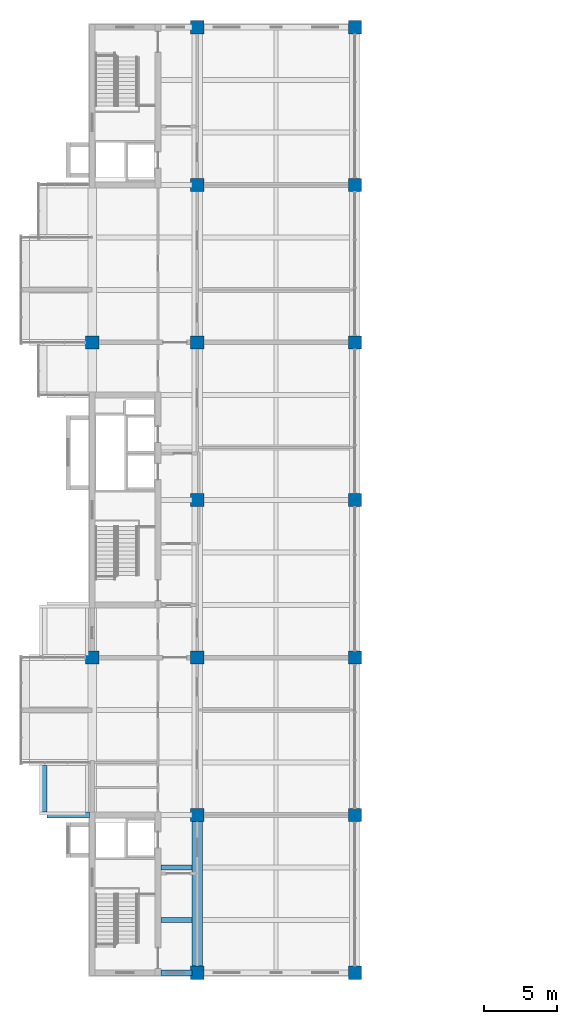
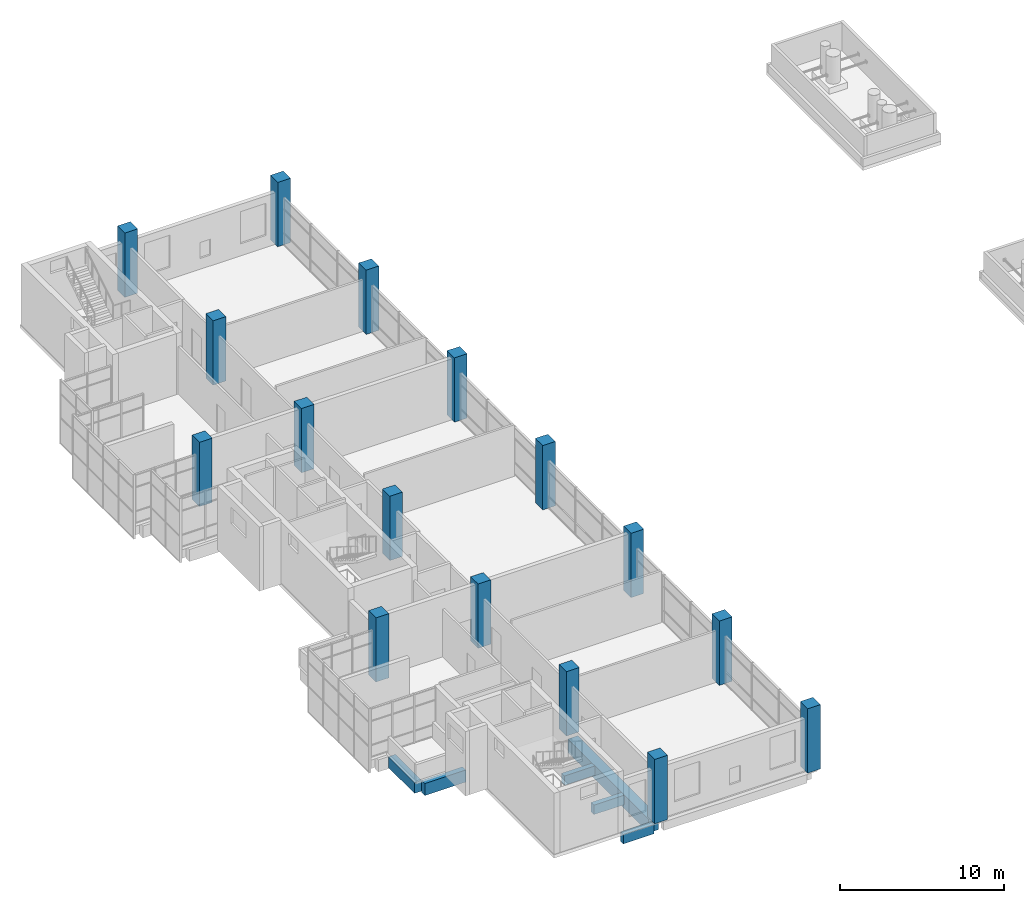
# One storey, part 1 of 22: 16 columns, 6 beams.
"""IFC4 building model written with IfcOpenShell, lengths in metres."""

import ifcopenshell
import ifcopenshell.guid

model = None  # the IFC model being written
_history = None  # IfcOwnerHistory: only IFC2X3 demands one
_inside = {}  # id of a spatial element -> (the spatial element, [elements in it])
_under = {}  # id of a project, library or spatial element -> (it, [spatial elements below it])
_declared = {}  # id of a project -> (the project, [libraries it declares])
_typed = {}  # id of a type object -> (the type object, [elements of that type])
_made_of = {}  # id of a material, layer set ... -> (it, [elements and type objects made of it])


def new_model(schema):
    """Start an empty IFC model of exactly this schema.

    Asked for "IFC4X3", IfcOpenShell would pick the latest addendum, in which some entities
    have other attributes; the version numbers below select the first issue.
    IFC2X3 requires an IfcOwnerHistory on every rooted entity: one is made here for all.
    """
    global model, _history
    if schema == "IFC4X3":
        model = ifcopenshell.file(schema_version=(4, 3, 0, 0))
    else:
        model = ifcopenshell.file(schema=schema)
    _inside.clear()
    _under.clear()
    _declared.clear()
    _typed.clear()
    _made_of.clear()
    _history = None
    if model.schema == "IFC2X3":
        org = make("IfcOrganization", Name="unknown")
        user = make(
            "IfcPersonAndOrganization",
            ThePerson=make("IfcPerson", FamilyName="unknown"),
            TheOrganization=org,
        )
        app = make(
            "IfcApplication",
            ApplicationDeveloper=org,
            Version="unknown",
            ApplicationFullName="unknown",
            ApplicationIdentifier="unknown",
        )
        _history = make(
            "IfcOwnerHistory",
            OwningUser=user,
            OwningApplication=app,
            ChangeAction="ADDED",
            CreationDate=0,
        )
    return model


def make(cls, **values):
    """One entity of the class cls with the attributes given. An attribute that is None is left unset."""
    return model.create_entity(
        cls, **{name: value for name, value in values.items() if value is not None}
    )


def rooted(cls, **values):
    """An entity with a GlobalId (a new one), such as an element, a storey or a relation."""
    return make(cls, GlobalId=ifcopenshell.guid.new(), OwnerHistory=_history, **values)


def si_unit(unit_type, name, prefix=None):
    """IfcSIUnit, for example si_unit("LENGTHUNIT", "METRE", prefix="MILLI")."""
    return make("IfcSIUnit", UnitType=unit_type, Prefix=prefix, Name=name)


def assignment(units):
    """IfcUnitAssignment: the units of a project."""
    return None if units is None else make("IfcUnitAssignment", Units=units)


def point(xyz):
    """IfcCartesianPoint."""
    return None if xyz is None else make("IfcCartesianPoint", Coordinates=xyz)


def direction(xyz):
    """IfcDirection."""
    return None if xyz is None else make("IfcDirection", DirectionRatios=xyz)


def frame(location, z_axis=None, x_axis=None):
    """IfcAxis2Placement3D, a coordinate frame: its origin and axes. An axis left out is left unset."""
    return make(
        "IfcAxis2Placement3D",
        Location=point(location),
        Axis=direction(z_axis),
        RefDirection=direction(x_axis),
    )


def frame_2d(location, x_axis=None):
    """IfcAxis2Placement2D, a coordinate frame in the plane: its origin and x axis."""
    return make(
        "IfcAxis2Placement2D", Location=point(location), RefDirection=direction(x_axis)
    )


def origin():
    """The frame at (0, 0, 0) with its axes left unset."""
    return frame((0.0, 0.0, 0.0))


def origin_2d():
    """The frame at (0, 0) in the plane with its x axis left unset."""
    return frame_2d((0.0, 0.0))


def place(relative_to, where):
    """IfcLocalPlacement: puts the frame where relative to a parent placement (None: the world)."""
    return make(
        "IfcLocalPlacement", PlacementRelTo=relative_to, RelativePlacement=where
    )


def context(
    kind, dimensions, precision=None, world=None, true_north=None, identifier=None
):
    """IfcGeometricRepresentationContext, for example the 3D "Model" context."""
    return make(
        "IfcGeometricRepresentationContext",
        ContextIdentifier=identifier,
        ContextType=kind,
        CoordinateSpaceDimension=dimensions,
        Precision=precision,
        WorldCoordinateSystem=world,
        TrueNorth=true_north,
    )


def subcontext(parent, identifier, kind, view, scale=None):
    """IfcGeometricRepresentationSubContext, for example "Body" below "Model"."""
    return make(
        "IfcGeometricRepresentationSubContext",
        ContextIdentifier=identifier,
        ContextType=kind,
        ParentContext=parent,
        TargetScale=scale,
        TargetView=view,
    )


def project(units=None, contexts=None):
    """IfcProject with its units and contexts."""
    return rooted(
        "IfcProject",
        Name="project",
        RepresentationContexts=contexts,
        UnitsInContext=assignment(units),
    )


def spatial(cls, under=None, at=None, **own):
    """A site, building, storey or space (cls), placed at a placement, below another one or the project."""
    s = rooted(cls, ObjectPlacement=at, **own)
    if under is not None:
        _under.setdefault(under.id(), (under, []))[1].append(s)
    return s


def profile(cls, at=None, kind="AREA", **sizes):
    """A parametric profile (cls). Its sizes go by their IFC names, for example OverallWidth=200.0."""
    return make(cls, ProfileType=kind, Position=at, **sizes)


def rectangle(**sizes):
    """IfcRectangleProfileDef."""
    return profile("IfcRectangleProfileDef", **sizes)


def extrude(swept, where, along, depth):
    """IfcExtrudedAreaSolid: the profile swept, set in the frame where, extruded along a direction by depth."""
    return make(
        "IfcExtrudedAreaSolid",
        SweptArea=swept,
        Position=where,
        ExtrudedDirection=direction(along),
        Depth=depth,
    )


def shape(context_of_items, identifier, shape_type, items):
    """IfcShapeRepresentation: the items that make up one representation, for example the "Body"."""
    return make(
        "IfcShapeRepresentation",
        ContextOfItems=context_of_items,
        RepresentationIdentifier=identifier,
        RepresentationType=shape_type,
        Items=items,
    )


def material(Name=None, Category=None):
    """IfcMaterial."""
    return make("IfcMaterial", Name=Name, Category=Category)


def material_profile(
    of_material, cross_section, Name=None, Category=None, Priority=None
):
    """IfcMaterialProfile: a cross section and its material."""
    return make(
        "IfcMaterialProfile",
        Name=Name,
        Material=of_material,
        Profile=cross_section,
        Priority=Priority,
        Category=Category,
    )


def profile_set(profiles, Name=None, composite=None):
    """IfcMaterialProfileSet."""
    return make(
        "IfcMaterialProfileSet",
        Name=Name,
        MaterialProfiles=profiles,
        CompositeProfile=composite,
    )


def made_of(thing, what):
    """Note that an element or type object is made of a material, layer set ...; save() writes the relation."""
    if what is not None:
        _made_of.setdefault(what.id(), (what, []))[1].append(thing)
    return thing


def type_object(cls, material=None, **own):
    """A type object (cls), such as IfcWallType, which elements share."""
    return made_of(rooted(cls, **own), material)


def element(
    cls,
    number,
    at=None,
    inside=None,
    cuts=None,
    type_object=None,
    material=None,
    context=None,
    identifier="Body",
    shape_type=None,
    held_by="IfcProductDefinitionShape",
    body=None,
    shapes=None,
    **own,
):
    """One element of the class cls, such as IfcWall. Its Tag is "e" and its number.

    at: its placement. inside: the storey or other place that contains it. cuts: it is an
    opening in that element (IfcRelVoidsElement). A single representation is given by context,
    identifier, shape_type and body (its items); several are given by shapes. held_by: the class
    of the entity that holds the representations. save() writes the other relations.
    """
    e = rooted(cls, Tag="e%d" % number, ObjectPlacement=at, **own)
    if body is not None:
        shapes = [shape(context, identifier, shape_type, body)]
    if shapes is not None:
        e.Representation = make(held_by, Representations=shapes)
    if inside is not None:
        _inside.setdefault(inside.id(), (inside, []))[1].append(e)
    if cuts is not None:
        rooted(
            "IfcRelVoidsElement", RelatingBuildingElement=cuts, RelatedOpeningElement=e
        )
    if type_object is not None:
        _typed.setdefault(type_object.id(), (type_object, []))[1].append(e)
    return made_of(e, material)


def aggregate(whole, parts):
    """IfcRelAggregates: a whole, such as a stair, and the parts it consists of."""
    return rooted("IfcRelAggregates", RelatingObject=whole, RelatedObjects=parts)


def save(model, path):
    """Write the relations noted so far, then the file.

    IfcRelAggregates (storeys below a building ...), IfcRelContainedInSpatialStructure (elements
    in a storey), IfcRelDefinesByType, IfcRelAssociatesMaterial and IfcRelDeclares: one each for
    every whole, place, type object, material and project.
    """
    for whole, parts in _under.values():
        aggregate(whole, parts)
    for where, things in _inside.values():
        rooted(
            "IfcRelContainedInSpatialStructure",
            RelatedElements=things,
            RelatingStructure=where,
        )
    for kind, things in _typed.values():
        rooted("IfcRelDefinesByType", RelatedObjects=things, RelatingType=kind)
    for what, things in _made_of.values():
        rooted("IfcRelAssociatesMaterial", RelatedObjects=things, RelatingMaterial=what)
    for by, libraries in _declared.values():
        rooted("IfcRelDeclares", RelatingContext=by, RelatedDefinitions=libraries)
    model.write(path)


model = new_model("IFC4")

# Units and contexts
model_context = context("Model", 3, precision=1e-05, world=origin(), true_north=direction((0.0, 1.0)))
body_context = subcontext(model_context, "Body", "Model", "MODEL_VIEW")
ifc_project = project(units=[si_unit("LENGTHUNIT", "METRE"), si_unit("AREAUNIT", "SQUARE_METRE"), si_unit("VOLUMEUNIT", "CUBIC_METRE"), si_unit("PLANEANGLEUNIT", "RADIAN"), si_unit("MASSUNIT", "GRAM", prefix="KILO")], contexts=[model_context])

# Site, building, storey
site_placement = place(None, origin())
site = spatial("IfcSite", under=ifc_project, at=site_placement, CompositionType="ELEMENT")
building_placement = place(site_placement, origin())
building = spatial("IfcBuilding", under=site, at=building_placement, Name="Basin Gate Institute", CompositionType="ELEMENT")
storey_placement = place(building_placement, frame((0.0, 0.0, 51.0)))
storey = spatial("IfcBuildingStorey", under=building, at=storey_placement, Name="L10", CompositionType="ELEMENT", Elevation=51.0)

# Columns
ifc_material_1 = material(Name="Concrete 50 MPa", Category="concrete")
ifc_material_profile_1 = material_profile(ifc_material_1, rectangle(XDim=0.89990234375, YDim=0.89990234375, at=origin_2d()), Name="Column C3 900 x 900")
ifc_profile_set_1 = profile_set([ifc_material_profile_1], Name="Concrete 50 MPa")
column_type = type_object("IfcColumnType", Name="Column C3 R120", PredefinedType="COLUMN", material=ifc_profile_set_1)
for number, where, z_axis, x_axis, name in (
    (1, (61.199951171875, 56.699951171875, 0.0), (0.0, 0.0, 1.0), (1.0, 0.0, 0.0), "COL/L10/4C"),
    (2, (61.199951171875, 78.300048828125, 0.0), (0.0, 0.0, 1.0), (1.0, 0.0, 0.0), "COL/L10/4E"),
    (3, (68.39990234375, 35.10009765625, 0.0), (0.0, 0.0, 1.0), (1.0, 0.0, 0.0), "COL/L10/5A"),
    (4, (68.39990234375, 45.89990234375, 0.0), (0.0, 0.0, 1.0), (1.0, 0.0, 0.0), "COL/L10/5B"),
    (5, (68.39990234375, 56.699951171875, 0.0), (0.0, 0.0, 1.0), (1.0, 0.0, 0.0), "COL/L10/5C"),
    (6, (68.39990234375, 67.5, 0.0), (0.0, 0.0, 1.0), (1.0, 0.0, 0.0), "COL/L10/5D"),
    (7, (68.39990234375, 78.300048828125, 0.0), (0.0, 0.0, 1.0), (1.0, 0.0, 0.0), "COL/L10/5E"),
    (8, (68.39990234375, 89.10009765625, 0.0), (0.0, 0.0, 1.0), (1.0, 0.0, 0.0), "COL/L10/5F"),
    (9, (68.39990234375, 99.89990234375, 0.0), (0.0, 0.0, 1.0), (1.0, 0.0, 0.0), "COL/L10/5G"),
    (10, (79.199951171875, 35.10009765625, 0.0), (0.0, 0.0, 1.0), (1.0, 0.0, 0.0), "COL/L10/6A"),
    (11, (79.199951171875, 45.89990234375, 0.0), (0.0, 0.0, 1.0), (1.0, 0.0, 0.0), "COL/L10/6B"),
    (12, (79.199951171875, 56.699951171875, 0.0), (0.0, 0.0, 1.0), (1.0, 0.0, 0.0), "COL/L10/6C"),
    (13, (79.199951171875, 67.5, 0.0), (0.0, 0.0, 1.0), (1.0, 0.0, 0.0), "COL/L10/6D"),
    (14, (79.199951171875, 78.300048828125, 0.0), (0.0, 0.0, 1.0), (1.0, 0.0, 0.0), "COL/L10/6E"),
    (15, (79.199951171875, 89.10009765625, 0.0), (0.0, 0.0, 1.0), (1.0, 0.0, 0.0), "COL/L10/6F"),
    (16, (79.199951171875, 99.89990234375, 0.0), (0.0, 0.0, 1.0), (1.0, 0.0, 0.0), "COL/L10/6G"),
):
    element("IfcColumn", number, at=place(storey_placement, frame(where, z_axis=z_axis, x_axis=x_axis)), inside=storey, type_object=column_type, material=ifc_profile_set_1, Name=name, PredefinedType="COLUMN", context=body_context, shape_type="SweptSolid", body=[
        extrude(rectangle(XDim=0.89990234375, YDim=0.89990234375, at=origin_2d()), origin(), (0.0, 0.0, 1.0), 4.800048828125),
    ])

# Beams
ifc_material_2 = material(Name="Concrete 40 MPa", Category="concrete")
ifc_material_profile_2 = material_profile(ifc_material_2, rectangle(XDim=0.35009765625, YDim=0.699951171875, at=origin_2d()), Name="Beam B1 350 x 700")
ifc_profile_set_2 = profile_set([ifc_material_profile_2], Name="Concrete 40 MPa")
beam_type_1 = type_object("IfcBeamType", Name="Beam B1 R120", PredefinedType="BEAM", material=ifc_profile_set_2)
for number, where, z_axis, x_axis, name in (
    (17, (65.89990234375, 35.10009765625, -0.60009765625), (1.0, 0.0, 0.0), (0.0, 1.0, 0.0), "BEAM/L10/W/CORR/01"),
    (18, (65.89990234375, 38.699951171875, -0.60009765625), (1.0, 0.0, 0.0), (0.0, 1.0, 0.0), "BEAM/L10/W/CORR/02"),
    (19, (65.89990234375, 42.300048828125, -0.60009765625), (1.0, 0.0, 0.0), (0.0, 1.0, 0.0), "BEAM/L10/W/CORR/03"),
):
    element("IfcBeam", number, at=place(storey_placement, frame(where, z_axis=z_axis, x_axis=x_axis)), inside=storey, type_object=beam_type_1, material=ifc_profile_set_2, Name=name, PredefinedType="BEAM", context=body_context, shape_type="SweptSolid", body=[
        extrude(rectangle(XDim=0.35009765625, YDim=0.699951171875, at=origin_2d()), origin(), (0.0, 0.0, 1.0), 2.150146484375),
    ])
ifc_material_3 = material(Name="Concrete 50 MPa", Category="concrete")
ifc_material_profile_3 = material_profile(ifc_material_3, rectangle(XDim=0.39990234375, YDim=0.89990234375, at=origin_2d()), Name="Cantilever beam B3 400 x 900")
ifc_profile_set_3 = profile_set([ifc_material_profile_3], Name="Concrete 50 MPa")
beam_type_2 = type_object("IfcBeamType", Name="Cantilever beam B3 R120", PredefinedType="BEAM", material=ifc_profile_set_3)
beam_1_placement = place(storey_placement, frame((58.10009765625, 45.89990234375, -0.699951171875), z_axis=(1.0, 0.0, 0.0), x_axis=(0.0, 1.0, 0.0)))
element("IfcBeam", 20, at=beam_1_placement, inside=storey, type_object=beam_type_2, material=ifc_profile_set_3, Name="BEAM/L10/W/CANT/04", PredefinedType="BEAM", context=body_context, shape_type="SweptSolid", body=[
    extrude(rectangle(XDim=0.39990234375, YDim=0.89990234375, at=origin_2d()), origin(), (0.0, 0.0, 1.0), 2.89990234375),
])
ifc_material_4 = material(Name="Concrete 50 MPa", Category="concrete")
ifc_material_profile_4 = material_profile(ifc_material_4, rectangle(XDim=0.699951171875, YDim=1.0, at=origin_2d()), Name="Girder G1 700 x 1000")
ifc_profile_set_4 = profile_set([ifc_material_profile_4], Name="Concrete 50 MPa")
beam_type_3 = type_object("IfcBeamType", Name="Girder G1 R120", PredefinedType="BEAM", material=ifc_profile_set_4)
beam_2_placement = place(storey_placement, frame((68.39990234375, 35.550048828125, -0.75), z_axis=(0.0, 1.0, 0.0), x_axis=(-1.0, 0.0, 0.0)))
element("IfcBeam", 21, at=beam_2_placement, inside=storey, type_object=beam_type_3, material=ifc_profile_set_4, Name="GIR/L10/W5/1", PredefinedType="BEAM", context=body_context, shape_type="SweptSolid", body=[
    extrude(rectangle(XDim=0.699951171875, YDim=1.0, at=origin_2d()), origin(), (0.0, 0.0, 1.0), 9.89990234375),
])
ifc_material_5 = material(Name="Concrete 50 MPa", Category="concrete")
ifc_material_profile_5 = material_profile(ifc_material_5, rectangle(XDim=0.5, YDim=0.800048828125, at=origin_2d()), Name="Tip beam TB1 500 x 800")
ifc_profile_set_5 = profile_set([ifc_material_profile_5], Name="Concrete 50 MPa")
beam_type_4 = type_object("IfcBeamType", Name="Tip beam TB1 R120", PredefinedType="SPANDREL", material=ifc_profile_set_5)
beam_3_placement = place(storey_placement, frame((57.85009765625, 46.10009765625, -0.64990234375), z_axis=(0.0, 1.0, 0.0), x_axis=(-1.0, 0.0, 0.0)))
element("IfcBeam", 22, at=beam_3_placement, inside=storey, type_object=beam_type_4, material=ifc_profile_set_5, Name="BEAM/L10/W/TIP/1", PredefinedType="SPANDREL", context=body_context, shape_type="SweptSolid", body=[
    extrude(rectangle(XDim=0.5, YDim=0.800048828125, at=origin_2d()), origin(), (0.0, 0.0, 1.0), 3.199951171875),
])

save(model, "model.ifc")
